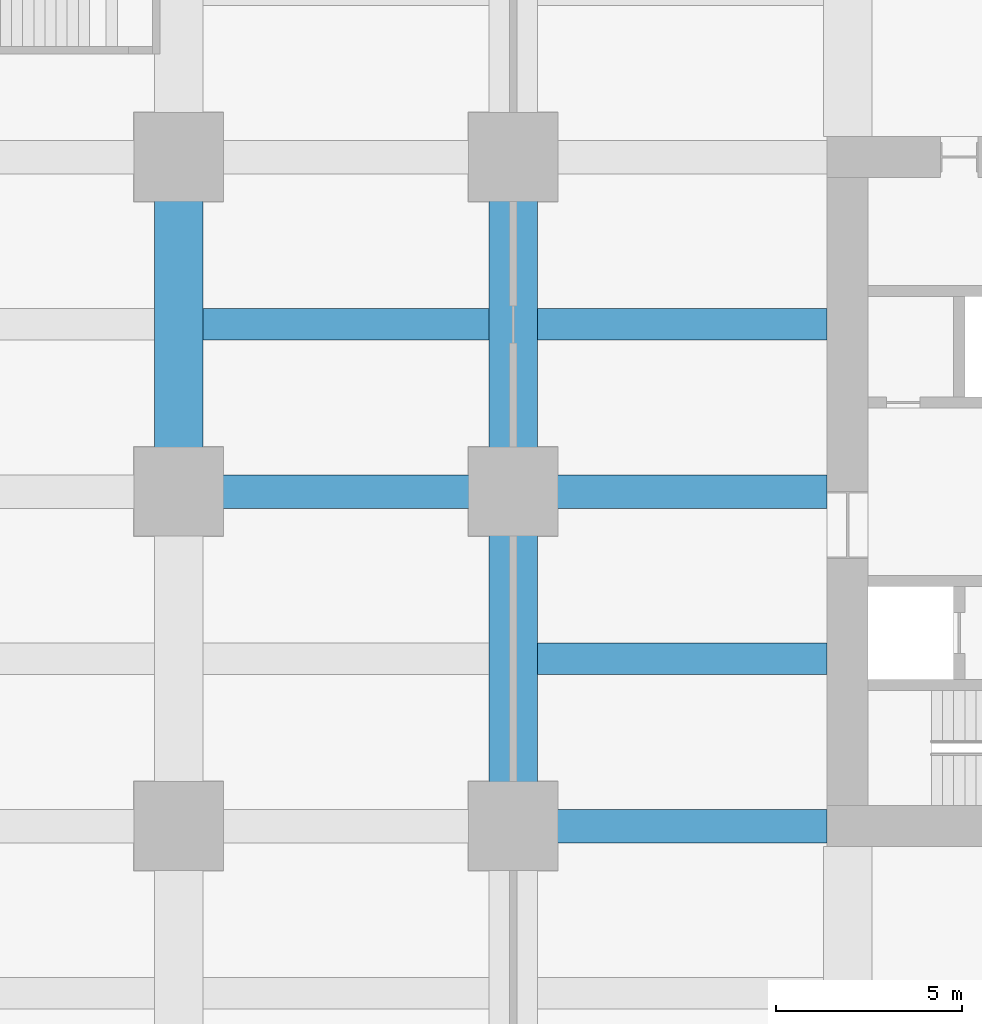
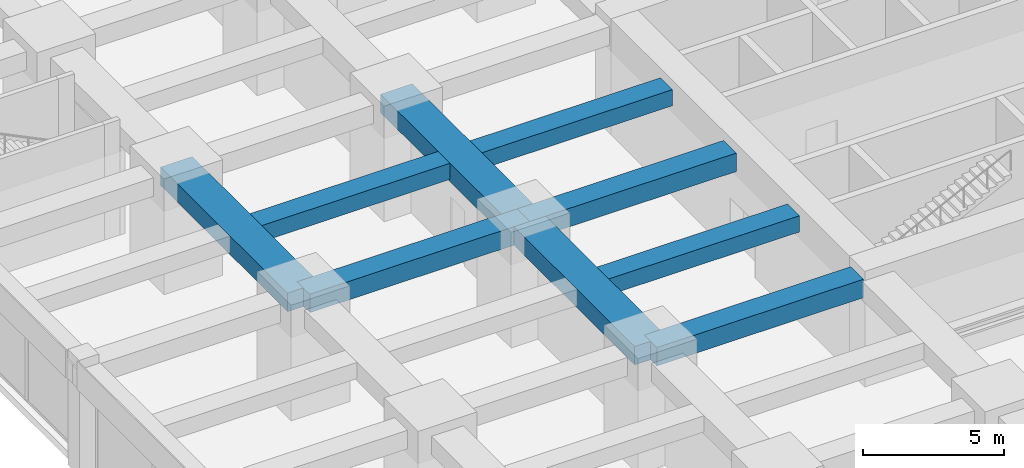
# One storey, part 12 of 46: 9 beams.
"""IFC4 building model written with IfcOpenShell, lengths in metres."""

from ifc_helpers import new_model, si_unit, direction, frame, origin, origin_2d, place, context, subcontext, project, spatial, rectangle, extrude, material, material_profile, profile_set, type_object, element, save


model = new_model("IFC4")

# Units and contexts
model_context = context("Model", 3, precision=1e-05, world=origin(), true_north=direction((0.0, 1.0)))
body_context = subcontext(model_context, "Body", "Model", "MODEL_VIEW")
ifc_project = project(units=[si_unit("LENGTHUNIT", "METRE"), si_unit("AREAUNIT", "SQUARE_METRE"), si_unit("VOLUMEUNIT", "CUBIC_METRE"), si_unit("PLANEANGLEUNIT", "RADIAN"), si_unit("MASSUNIT", "GRAM", prefix="KILO")], contexts=[model_context])

# Site, building, storey
site_placement = place(None, origin())
site = spatial("IfcSite", under=ifc_project, at=site_placement, CompositionType="ELEMENT")
building_placement = place(site_placement, origin())
building = spatial("IfcBuilding", under=site, at=building_placement, Name="Zorevar Civic Tower", CompositionType="ELEMENT")
storey_placement = place(building_placement, frame((0.0, 0.0, 10.800048828125)))
storey = spatial("IfcBuildingStorey", under=building, at=storey_placement, Name="L02", CompositionType="ELEMENT", Elevation=10.800048828125)

# Beams
ifc_material_1 = material(Name="Concrete C50/60", Category="concrete")
ifc_material_profile_1 = material_profile(ifc_material_1, rectangle(XDim=1.300048828125, YDim=0.800048828125, at=origin_2d()), Name="RC 1300x800")
ifc_profile_set_1 = profile_set([ifc_material_profile_1], Name="Concrete C50/60")
beam_type_1 = type_object("IfcBeamType", Name="Beam RC 1300x800", PredefinedType="BEAM", material=ifc_profile_set_1)
for number, where, z_axis, x_axis, name in (
    (1, (0.0, 27.0, 4.199951171875), (0.0, 1.0, 0.0), (-1.0, 0.0, 0.0), "Girder L03"),
    (2, (9.0, 18.0, 4.199951171875), (0.0, 1.0, 0.0), (-1.0, 0.0, 0.0), "Girder L03"),
    (3, (9.0, 27.0, 4.199951171875), (0.0, 1.0, 0.0), (-1.0, 0.0, 0.0), "Girder L03"),
):
    element("IfcBeam", number, at=place(storey_placement, frame(where, z_axis=z_axis, x_axis=x_axis)), inside=storey, type_object=beam_type_1, Name=name, PredefinedType="BEAM", context=body_context, shape_type="SweptSolid", body=[
        extrude(rectangle(XDim=1.300048828125, YDim=0.800048828125, at=origin_2d()), origin(), (0.0, 0.0, 1.0), 9.0),
    ])
ifc_material_2 = material(Name="Concrete C50/60", Category="concrete")
ifc_material_profile_2 = material_profile(ifc_material_2, rectangle(XDim=0.85009765625, YDim=0.699951171875, at=origin_2d()), Name="RC 850x700")
ifc_profile_set_2 = profile_set([ifc_material_profile_2], Name="Concrete C50/60")
beam_type_2 = type_object("IfcBeamType", Name="Beam RC 850x700", PredefinedType="BEAM", material=ifc_profile_set_2)
beam_1_placement = place(storey_placement, frame((9.64990234375, 22.5, 4.25), z_axis=(1.0, 0.0, 0.0), x_axis=(0.0, 1.0, 0.0)))
element("IfcBeam", 4, at=beam_1_placement, inside=storey, type_object=beam_type_2, Name="Secondary beam L03", PredefinedType="BEAM", context=body_context, shape_type="SweptSolid", body=[
    extrude(rectangle(XDim=0.85009765625, YDim=0.699951171875, at=origin_2d()), origin(), (0.0, 0.0, 1.0), 7.800048828125),
])
beam_2_placement = place(storey_placement, frame((0.64990234375, 31.5, 4.25), z_axis=(1.0, 0.0, 0.0), x_axis=(0.0, 1.0, 0.0)))
element("IfcBeam", 5, at=beam_2_placement, inside=storey, type_object=beam_type_2, Name="Secondary beam L03", PredefinedType="BEAM", context=body_context, shape_type="SweptSolid", body=[
    extrude(rectangle(XDim=0.85009765625, YDim=0.699951171875, at=origin_2d()), origin(), (0.0, 0.0, 1.0), 7.7001953125),
])
beam_3_placement = place(storey_placement, frame((9.64990234375, 31.5, 4.25), z_axis=(1.0, 0.0, 0.0), x_axis=(0.0, 1.0, 0.0)))
element("IfcBeam", 6, at=beam_3_placement, inside=storey, type_object=beam_type_2, Name="Secondary beam L03", PredefinedType="BEAM", context=body_context, shape_type="SweptSolid", body=[
    extrude(rectangle(XDim=0.85009765625, YDim=0.699951171875, at=origin_2d()), origin(), (0.0, 0.0, 1.0), 7.800048828125),
])
ifc_material_3 = material(Name="Concrete C50/60", Category="concrete")
ifc_material_profile_3 = material_profile(ifc_material_3, rectangle(XDim=0.89990234375, YDim=0.800048828125, at=origin_2d()), Name="RC 900x800")
ifc_profile_set_3 = profile_set([ifc_material_profile_3], Name="Concrete C50/60")
beam_type_3 = type_object("IfcBeamType", Name="Beam RC 900x800", PredefinedType="BEAM", material=ifc_profile_set_3)
beam_4_placement = place(storey_placement, frame((9.0, 18.0, 4.199951171875), z_axis=(1.0, 0.0, 0.0), x_axis=(0.0, 1.0, 0.0)))
element("IfcBeam", 7, at=beam_4_placement, inside=storey, type_object=beam_type_3, Name="Girder L03", PredefinedType="BEAM", context=body_context, shape_type="SweptSolid", body=[
    extrude(rectangle(XDim=0.89990234375, YDim=0.800048828125, at=origin_2d()), origin(), (0.0, 0.0, 1.0), 8.449951171875),
])
beam_5_placement = place(storey_placement, frame((0.0, 27.0, 4.199951171875), z_axis=(1.0, 0.0, 0.0), x_axis=(0.0, 1.0, 0.0)))
element("IfcBeam", 8, at=beam_5_placement, inside=storey, type_object=beam_type_3, Name="Girder L03", PredefinedType="BEAM", context=body_context, shape_type="SweptSolid", body=[
    extrude(rectangle(XDim=0.89990234375, YDim=0.800048828125, at=origin_2d()), origin(), (0.0, 0.0, 1.0), 9.0),
])
beam_6_placement = place(storey_placement, frame((9.0, 27.0, 4.199951171875), z_axis=(1.0, 0.0, 0.0), x_axis=(0.0, 1.0, 0.0)))
element("IfcBeam", 9, at=beam_6_placement, inside=storey, type_object=beam_type_3, Name="Girder L03", PredefinedType="BEAM", context=body_context, shape_type="SweptSolid", body=[
    extrude(rectangle(XDim=0.89990234375, YDim=0.800048828125, at=origin_2d()), origin(), (0.0, 0.0, 1.0), 8.449951171875),
])

save(model, "model.ifc")
